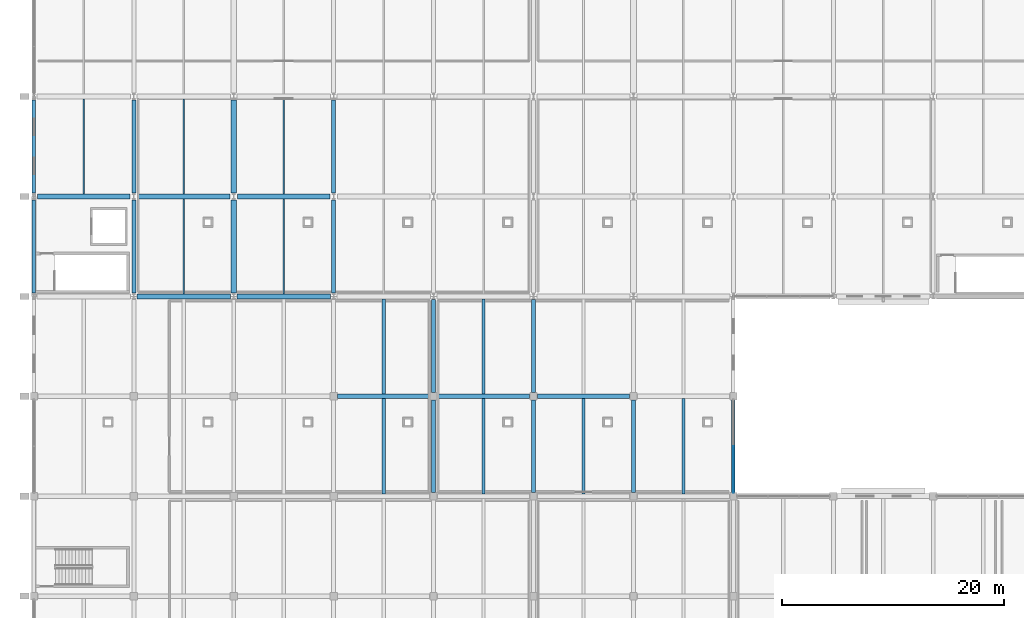
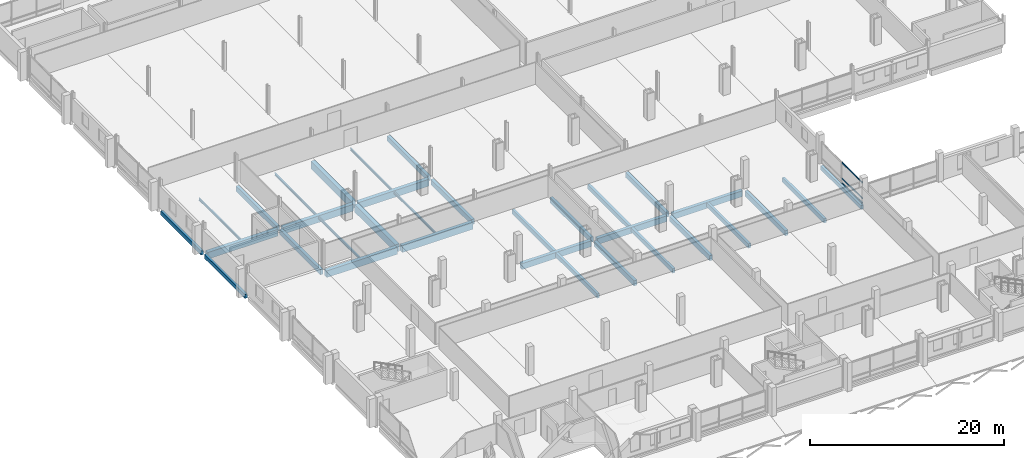
# One storey, part 36 of 132: 33 beams, 3 members, 1 element without a shape of its own.
"""IFC4 building model written with IfcOpenShell, lengths in metres."""

from ifc_helpers import new_model, si_unit, direction, frame, origin, origin_2d, place, context, subcontext, project, spatial, rectangle, i_section, extrude, material, material_profile, profile_set, type_object, element, aggregate, save


model = new_model("IFC4")

# Units and contexts
model_context = context("Model", 3, precision=1e-05, world=origin(), true_north=direction((0.0, 1.0)))
body_context = subcontext(model_context, "Body", "Model", "MODEL_VIEW")
ifc_project = project(units=[si_unit("LENGTHUNIT", "METRE"), si_unit("AREAUNIT", "SQUARE_METRE"), si_unit("VOLUMEUNIT", "CUBIC_METRE"), si_unit("PLANEANGLEUNIT", "RADIAN"), si_unit("MASSUNIT", "GRAM", prefix="KILO")], contexts=[model_context])

# Site, building, storey
site_placement = place(None, origin())
site = spatial("IfcSite", under=ifc_project, at=site_placement, CompositionType="ELEMENT")
building_placement = place(site_placement, origin())
building = spatial("IfcBuilding", under=site, at=building_placement, Name="Tharagai Park Tramway Depot", CompositionType="ELEMENT")
storey_placement = place(building_placement, frame((0.0, 0.0, 4.800048828125)))
storey = spatial("IfcBuildingStorey", under=building, at=storey_placement, Name="L01", CompositionType="ELEMENT", Elevation=4.800048828125)

# Beams
ifc_material_1 = material(Name="Concrete M35", Category="concrete")
ifc_material_profile_1 = material_profile(ifc_material_1, rectangle(XDim=0.449951171875, YDim=0.85009765625, at=origin_2d()), Name="RC 450x850")
ifc_profile_set_1 = profile_set([ifc_material_profile_1], Name="Concrete M35")
beam_type_1 = type_object("IfcBeamType", Name="BM-03", PredefinedType="BEAM", material=ifc_profile_set_1)
for number, where, z_axis, x_axis, name in (
    (1, (9.300048828125, 45.0, -0.705078125), (1.0, 0.0, 0.0), (0.0, 1.0, 0.0), "L01 Grid Beam BM-03"),
    (2, (18.300048828125, 45.0, -0.705078125), (1.0, 0.0, 0.0), (0.0, 1.0, 0.0), "L01 Grid Beam BM-03"),
):
    element("IfcBeam", number, at=place(storey_placement, frame(where, z_axis=z_axis, x_axis=x_axis)), inside=storey, type_object=beam_type_1, Name=name, PredefinedType="BEAM", context=body_context, shape_type="SweptSolid", body=[
        extrude(rectangle(XDim=0.449951171875, YDim=0.85009765625, at=origin_2d()), origin(), (0.0, 0.0, 1.0), 8.39990234375),
    ])
for number, where, z_axis, x_axis, name in (
    (3, (0.324951171875, 54.0, -0.705078125), (1.0, 0.0, 0.0), (0.0, 1.0, 0.0), "L01 Grid Beam BM-03"),
    (4, (9.324951171875, 54.0, -0.705078125), (1.0, 0.0, 0.0), (0.0, 1.0, 0.0), "L01 Grid Beam BM-03"),
    (5, (18.324951171875, 54.0, -0.705078125), (1.0, 0.0, 0.0), (0.0, 1.0, 0.0), "L01 Grid Beam BM-03"),
):
    element("IfcBeam", number, at=place(storey_placement, frame(where, z_axis=z_axis, x_axis=x_axis)), inside=storey, type_object=beam_type_1, Name=name, PredefinedType="BEAM", context=body_context, shape_type="SweptSolid", body=[
        extrude(rectangle(XDim=0.449951171875, YDim=0.85009765625, at=origin_2d()), origin(), (0.0, 0.0, 1.0), 8.35009765625),
    ])
ifc_material_2 = material(Name="Concrete M40", Category="concrete")
ifc_material_profile_2 = material_profile(ifc_material_2, rectangle(XDim=0.5, YDim=0.949951171875, at=origin_2d()), Name="RC 500x950")
ifc_profile_set_2 = profile_set([ifc_material_profile_2], Name="Concrete M40")
beam_type_2 = type_object("IfcBeamType", Name="BM-07", PredefinedType="BEAM", material=ifc_profile_set_2)
for number, where, z_axis, x_axis, name in (
    (6, (18.0, 45.300048828125, -0.755126953125), (0.0, 1.0, 0.0), (-1.0, 0.0, 0.0), "L01 Grid Beam BM-07"),
    (7, (18.0, 54.324951171875, -0.755126953125), (0.0, 1.0, 0.0), (-1.0, 0.0, 0.0), "L01 Grid Beam BM-07"),
):
    element("IfcBeam", number, at=place(storey_placement, frame(where, z_axis=z_axis, x_axis=x_axis)), inside=storey, type_object=beam_type_2, Name=name, PredefinedType="BEAM", context=body_context, shape_type="SweptSolid", body=[
        extrude(rectangle(XDim=0.5, YDim=0.949951171875, at=origin_2d()), origin(), (0.0, 0.0, 1.0), 8.375),
    ])
ifc_material_profile_3 = material_profile(ifc_material_1, rectangle(XDim=0.35009765625, YDim=0.64990234375, at=origin_2d()), Name="RC 350x650")
ifc_profile_set_3 = profile_set([ifc_material_profile_3], Name="Concrete M35")
beam_type_3 = type_object("IfcBeamType", Name="BM-13", PredefinedType="BEAM", material=ifc_profile_set_3)
for number, where, z_axis, x_axis, name in (
    (8, (9.0, 45.300048828125, -0.60498046875), (0.0, 1.0, 0.0), (-1.0, 0.0, 0.0), "L01 Grid Beam BM-13"),
    (9, (9.0, 54.324951171875, -0.60498046875), (0.0, 1.0, 0.0), (-1.0, 0.0, 0.0), "L01 Grid Beam BM-13"),
    (10, (27.0, 45.300048828125, -0.60498046875), (0.0, 1.0, 0.0), (-1.0, 0.0, 0.0), "L01 Grid Beam BM-13"),
    (11, (27.0, 54.324951171875, -0.60498046875), (0.0, 1.0, 0.0), (-1.0, 0.0, 0.0), "L01 Grid Beam BM-13"),
):
    element("IfcBeam", number, at=place(storey_placement, frame(where, z_axis=z_axis, x_axis=x_axis)), inside=storey, type_object=beam_type_3, Name=name, PredefinedType="BEAM", context=body_context, shape_type="SweptSolid", body=[
        extrude(rectangle(XDim=0.35009765625, YDim=0.64990234375, at=origin_2d()), origin(), (0.0, 0.0, 1.0), 8.375),
    ])
beam_1_placement = place(storey_placement, frame((36.0, 27.35009765625, -0.574951171875), z_axis=(0.0, 1.0, 0.0), x_axis=(-1.0, 0.0, 0.0)))
element("IfcBeam", 12, at=beam_1_placement, inside=storey, type_object=beam_type_3, Name="L01 Grid Beam BM-13", PredefinedType="BEAM", context=body_context, shape_type="SweptSolid", body=[
    extrude(rectangle(XDim=0.35009765625, YDim=0.64990234375, at=origin_2d()), origin(), (0.0, 0.0, 1.0), 8.2998046875),
])
beam_2_placement = place(storey_placement, frame((36.0, 36.35009765625, -0.574951171875), z_axis=(0.0, 1.0, 0.0), x_axis=(-1.0, 0.0, 0.0)))
element("IfcBeam", 13, at=beam_2_placement, inside=storey, type_object=beam_type_3, Name="L01 Grid Beam BM-13", PredefinedType="BEAM", context=body_context, shape_type="SweptSolid", body=[
    extrude(rectangle(XDim=0.35009765625, YDim=0.64990234375, at=origin_2d()), origin(), (0.0, 0.0, 1.0), 8.349853515625),
])
beam_3_placement = place(storey_placement, frame((45.0, 27.35009765625, -0.574951171875), z_axis=(0.0, 1.0, 0.0), x_axis=(-1.0, 0.0, 0.0)))
element("IfcBeam", 14, at=beam_3_placement, inside=storey, type_object=beam_type_3, Name="L01 Grid Beam BM-13", PredefinedType="BEAM", context=body_context, shape_type="SweptSolid", body=[
    extrude(rectangle(XDim=0.35009765625, YDim=0.64990234375, at=origin_2d()), origin(), (0.0, 0.0, 1.0), 8.2998046875),
])
beam_4_placement = place(storey_placement, frame((45.0, 36.35009765625, -0.574951171875), z_axis=(0.0, 1.0, 0.0), x_axis=(-1.0, 0.0, 0.0)))
element("IfcBeam", 15, at=beam_4_placement, inside=storey, type_object=beam_type_3, Name="L01 Grid Beam BM-13", PredefinedType="BEAM", context=body_context, shape_type="SweptSolid", body=[
    extrude(rectangle(XDim=0.35009765625, YDim=0.64990234375, at=origin_2d()), origin(), (0.0, 0.0, 1.0), 8.349853515625),
])
beam_5_placement = place(storey_placement, frame((54.0, 27.35009765625, -0.574951171875), z_axis=(0.0, 1.0, 0.0), x_axis=(-1.0, 0.0, 0.0)))
element("IfcBeam", 16, at=beam_5_placement, inside=storey, type_object=beam_type_3, Name="L01 Grid Beam BM-13", PredefinedType="BEAM", context=body_context, shape_type="SweptSolid", body=[
    extrude(rectangle(XDim=0.35009765625, YDim=0.64990234375, at=origin_2d()), origin(), (0.0, 0.0, 1.0), 8.2998046875),
])
ifc_material_profile_4 = material_profile(ifc_material_1, rectangle(XDim=0.39990234375, YDim=0.75, at=origin_2d()), Name="RC 400x750")
ifc_profile_set_4 = profile_set([ifc_material_profile_4], Name="Concrete M35")
beam_type_4 = type_object("IfcBeamType", Name="BM-19", PredefinedType="BEAM", material=ifc_profile_set_4)
for number, where, z_axis, x_axis, name in (
    (17, (27.35009765625, 36.0, -0.625), (1.0, 0.0, 0.0), (0.0, 1.0, 0.0), "L01 Grid Beam BM-19"),
    (18, (36.35009765625, 36.0, -0.625), (1.0, 0.0, 0.0), (0.0, 1.0, 0.0), "L01 Grid Beam BM-19"),
    (19, (45.35009765625, 36.0, -0.625), (1.0, 0.0, 0.0), (0.0, 1.0, 0.0), "L01 Grid Beam BM-19"),
):
    element("IfcBeam", number, at=place(storey_placement, frame(where, z_axis=z_axis, x_axis=x_axis)), inside=storey, type_object=beam_type_4, Name=name, PredefinedType="BEAM", context=body_context, shape_type="SweptSolid", body=[
        extrude(rectangle(XDim=0.39990234375, YDim=0.75, at=origin_2d()), origin(), (0.0, 0.0, 1.0), 8.2998046875),
    ])

# Curtain wall, members
ifc_material_3 = material(Name="Anodised aluminium", Category="aluminium")
curtain_wall_type = type_object("IfcCurtainWallType", Name="CW-07", PredefinedType="NOTDEFINED", material=ifc_material_3)
curtain_wall_placement = place(storey_placement, origin())
curtain_wall = element("IfcCurtainWall", 20, at=curtain_wall_placement, inside=storey, type_object=curtain_wall_type, Name="L01 V4 Side Mullioned Curtain Wall CW-07", PredefinedType="NOTDEFINED")
ifc_material_profile_5 = material_profile(ifc_material_3, rectangle(XDim=0.06494140625, YDim=0.1201171875, at=origin_2d()), Name="ALU 65x120")
ifc_profile_set_5 = profile_set([ifc_material_profile_5], Name="Anodised aluminium")
member_type = type_object("IfcMemberType", Name="CM-01", PredefinedType="USERDEFINED", material=ifc_profile_set_5)
member_1_placement = place(storey_placement, frame((63.0, 27.330078125, 0.06005859375), z_axis=(0.0, 1.0, 0.0), x_axis=(-1.0, 0.0, 0.0)))
member_1 = element("IfcMember", 21, at=member_1_placement, type_object=member_type, Name="L01 V4 Side Mullioned Curtain Wall Transom 1.1", ObjectType="TRANSOM", PredefinedType="USERDEFINED", context=body_context, shape_type="SweptSolid", body=[
    extrude(rectangle(XDim=0.06494140625, YDim=0.1201171875, at=origin_2d()), origin(), (0.0, 0.0, 1.0), 4.155029296875),
])
member_2_placement = place(storey_placement, frame((63.0, 27.330078125, 0.64990234375), z_axis=(0.0, 1.0, 0.0), x_axis=(-1.0, 0.0, 0.0)))
member_2 = element("IfcMember", 22, at=member_2_placement, type_object=member_type, Name="L01 V4 Side Mullioned Curtain Wall Transom 1.2", ObjectType="TRANSOM", PredefinedType="USERDEFINED", context=body_context, shape_type="SweptSolid", body=[
    extrude(rectangle(XDim=0.06494140625, YDim=0.1201171875, at=origin_2d()), origin(), (0.0, 0.0, 1.0), 4.155029296875),
])
member_3_placement = place(storey_placement, frame((63.0, 27.330078125, 2.6298828125), z_axis=(0.0, 1.0, 0.0), x_axis=(-1.0, 0.0, 0.0)))
member_3 = element("IfcMember", 23, at=member_3_placement, type_object=member_type, Name="L01 V4 Side Mullioned Curtain Wall Transom 1.3", ObjectType="TRANSOM", PredefinedType="USERDEFINED", context=body_context, shape_type="SweptSolid", body=[
    extrude(rectangle(XDim=0.06494140625, YDim=0.1201171875, at=origin_2d()), origin(), (0.0, 0.0, 1.0), 4.155029296875),
])
aggregate(curtain_wall, [member_1, member_2, member_3])

# Beams
ifc_material_4 = material(Name="Steel E350", Category="steel")
ifc_material_profile_6 = material_profile(ifc_material_4, i_section(OverallWidth=0.139892578125, OverallDepth=0.300048828125, WebThickness=0.0078125, FlangeThickness=0.01318359375, FilletRadius=0.013916015625, at=origin_2d()), Name="ISMB 300")
ifc_profile_set_6 = profile_set([ifc_material_profile_6], Name="Steel E350")
beam_type_5 = type_object("IfcBeamType", Name="JT-03", PredefinedType="JOIST", material=ifc_profile_set_6)
for number, where, z_axis, x_axis, name in (
    (24, (4.5, 54.22509765625, -0.429931640625), (0.0, 1.0, 0.0), (-1.0, 0.0, 0.0), "L01 Secondary Joist JT-03"),
    (25, (22.5, 45.22509765625, -0.429931640625), (0.0, 1.0, 0.0), (-1.0, 0.0, 0.0), "L01 Secondary Joist JT-03"),
    (26, (22.5, 54.22509765625, -0.429931640625), (0.0, 1.0, 0.0), (-1.0, 0.0, 0.0), "L01 Secondary Joist JT-03"),
):
    element("IfcBeam", number, at=place(storey_placement, frame(where, z_axis=z_axis, x_axis=x_axis)), inside=storey, type_object=beam_type_5, Name=name, PredefinedType="JOIST", context=body_context, shape_type="SweptSolid", body=[
        extrude(i_section(OverallWidth=0.139892578125, OverallDepth=0.300048828125, WebThickness=0.0078125, FlangeThickness=0.01318359375, FilletRadius=0.013916015625, at=origin_2d()), origin(), (0.0, 0.0, 1.0), 8.5498046875),
    ])
ifc_material_profile_7 = material_profile(ifc_material_1, rectangle(XDim=0.300048828125, YDim=0.550048828125, at=origin_2d()), Name="RC 300x550")
ifc_profile_set_7 = profile_set([ifc_material_profile_7], Name="Concrete M35")
beam_type_6 = type_object("IfcBeamType", Name="JT-06", PredefinedType="JOIST", material=ifc_profile_set_7)
beam_6_placement = place(storey_placement, frame((31.5, 27.199951171875, -0.525146484375), z_axis=(0.0, 1.0, 0.0), x_axis=(-1.0, 0.0, 0.0)))
element("IfcBeam", 27, at=beam_6_placement, inside=storey, type_object=beam_type_6, Name="L01 Secondary Joist JT-06", PredefinedType="JOIST", context=body_context, shape_type="SweptSolid", body=[
    extrude(rectangle(XDim=0.300048828125, YDim=0.550048828125, at=origin_2d()), origin(), (0.0, 0.0, 1.0), 8.60009765625),
])
beam_7_placement = place(storey_placement, frame((31.5, 36.199951171875, -0.525146484375), z_axis=(0.0, 1.0, 0.0), x_axis=(-1.0, 0.0, 0.0)))
element("IfcBeam", 28, at=beam_7_placement, inside=storey, type_object=beam_type_6, Name="L01 Secondary Joist JT-06", PredefinedType="JOIST", context=body_context, shape_type="SweptSolid", body=[
    extrude(rectangle(XDim=0.300048828125, YDim=0.550048828125, at=origin_2d()), origin(), (0.0, 0.0, 1.0), 8.574951171875),
])
beam_8_placement = place(storey_placement, frame((40.5, 27.199951171875, -0.525146484375), z_axis=(0.0, 1.0, 0.0), x_axis=(-1.0, 0.0, 0.0)))
element("IfcBeam", 29, at=beam_8_placement, inside=storey, type_object=beam_type_6, Name="L01 Secondary Joist JT-06", PredefinedType="JOIST", context=body_context, shape_type="SweptSolid", body=[
    extrude(rectangle(XDim=0.300048828125, YDim=0.550048828125, at=origin_2d()), origin(), (0.0, 0.0, 1.0), 8.60009765625),
])
beam_9_placement = place(storey_placement, frame((40.5, 36.199951171875, -0.525146484375), z_axis=(0.0, 1.0, 0.0), x_axis=(-1.0, 0.0, 0.0)))
element("IfcBeam", 30, at=beam_9_placement, inside=storey, type_object=beam_type_6, Name="L01 Secondary Joist JT-06", PredefinedType="JOIST", context=body_context, shape_type="SweptSolid", body=[
    extrude(rectangle(XDim=0.300048828125, YDim=0.550048828125, at=origin_2d()), origin(), (0.0, 0.0, 1.0), 8.574951171875),
])
for number, where, z_axis, x_axis, name in (
    (31, (49.5, 27.199951171875, -0.525146484375), (0.0, 1.0, 0.0), (-1.0, 0.0, 0.0), "L01 Secondary Joist JT-06"),
    (32, (58.5, 27.199951171875, -0.525146484375), (0.0, 1.0, 0.0), (-1.0, 0.0, 0.0), "L01 Secondary Joist JT-06"),
):
    element("IfcBeam", number, at=place(storey_placement, frame(where, z_axis=z_axis, x_axis=x_axis)), inside=storey, type_object=beam_type_6, Name=name, PredefinedType="JOIST", context=body_context, shape_type="SweptSolid", body=[
        extrude(rectangle(XDim=0.300048828125, YDim=0.550048828125, at=origin_2d()), origin(), (0.0, 0.0, 1.0), 8.60009765625),
    ])
ifc_material_profile_8 = material_profile(ifc_material_4, i_section(OverallWidth=0.14990234375, OverallDepth=0.300048828125, WebThickness=0.006591796875, FlangeThickness=0.009521484375, FilletRadius=0.011962890625, at=origin_2d()), Name="ISLB 300")
ifc_profile_set_8 = profile_set([ifc_material_profile_8], Name="Steel E350")
beam_type_7 = type_object("IfcBeamType", Name="JT-07", PredefinedType="JOIST", material=ifc_profile_set_8)
for number, where, z_axis, x_axis, name in (
    (33, (13.5, 45.22509765625, -0.429931640625), (0.0, 1.0, 0.0), (-1.0, 0.0, 0.0), "L01 Secondary Joist JT-07"),
    (34, (13.5, 54.22509765625, -0.429931640625), (0.0, 1.0, 0.0), (-1.0, 0.0, 0.0), "L01 Secondary Joist JT-07"),
):
    element("IfcBeam", number, at=place(storey_placement, frame(where, z_axis=z_axis, x_axis=x_axis)), inside=storey, type_object=beam_type_7, Name=name, PredefinedType="JOIST", context=body_context, shape_type="SweptSolid", body=[
        extrude(i_section(OverallWidth=0.14990234375, OverallDepth=0.300048828125, WebThickness=0.006591796875, FlangeThickness=0.009521484375, FilletRadius=0.011962890625, at=origin_2d()), origin(), (0.0, 0.0, 1.0), 8.5498046875),
    ])
ifc_material_profile_9 = material_profile(ifc_material_1, rectangle(XDim=0.300048828125, YDim=0.5, at=origin_2d()), Name="RC 300x500")
ifc_profile_set_9 = profile_set([ifc_material_profile_9], Name="Concrete M35")
beam_type_8 = type_object("IfcBeamType", Name="SP-03", PredefinedType="SPANDREL", material=ifc_profile_set_9)
for number, where, z_axis, x_axis, name in (
    (35, (0.0, 45.300048828125, -0.530029296875), (0.0, 1.0, 0.0), (-1.0, 0.0, 0.0), "L01 Grid Beam SP-03"),
    (36, (0.0, 54.324951171875, -0.530029296875), (0.0, 1.0, 0.0), (-1.0, 0.0, 0.0), "L01 Grid Beam SP-03"),
):
    element("IfcBeam", number, at=place(storey_placement, frame(where, z_axis=z_axis, x_axis=x_axis)), inside=storey, type_object=beam_type_8, Name=name, PredefinedType="SPANDREL", context=body_context, shape_type="SweptSolid", body=[
        extrude(rectangle(XDim=0.300048828125, YDim=0.5, at=origin_2d()), origin(), (0.0, 0.0, 1.0), 8.375),
    ])
beam_10_placement = place(storey_placement, frame((63.0, 27.35009765625, -0.5), z_axis=(0.0, 1.0, 0.0), x_axis=(-1.0, 0.0, 0.0)))
element("IfcBeam", 37, at=beam_10_placement, inside=storey, type_object=beam_type_8, Name="L01 Grid Beam SP-03", PredefinedType="SPANDREL", context=body_context, shape_type="SweptSolid", body=[
    extrude(rectangle(XDim=0.300048828125, YDim=0.5, at=origin_2d()), origin(), (0.0, 0.0, 1.0), 8.2998046875),
])

save(model, "model.ifc")
